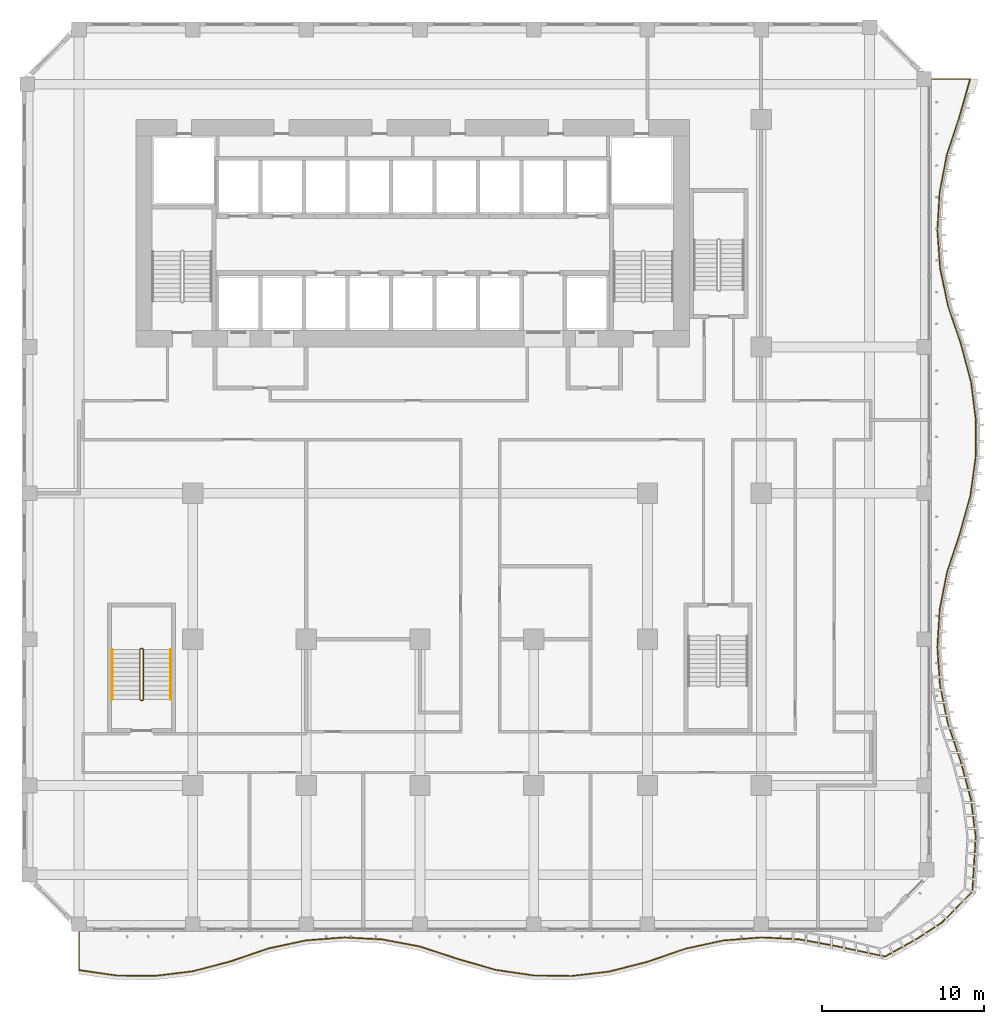
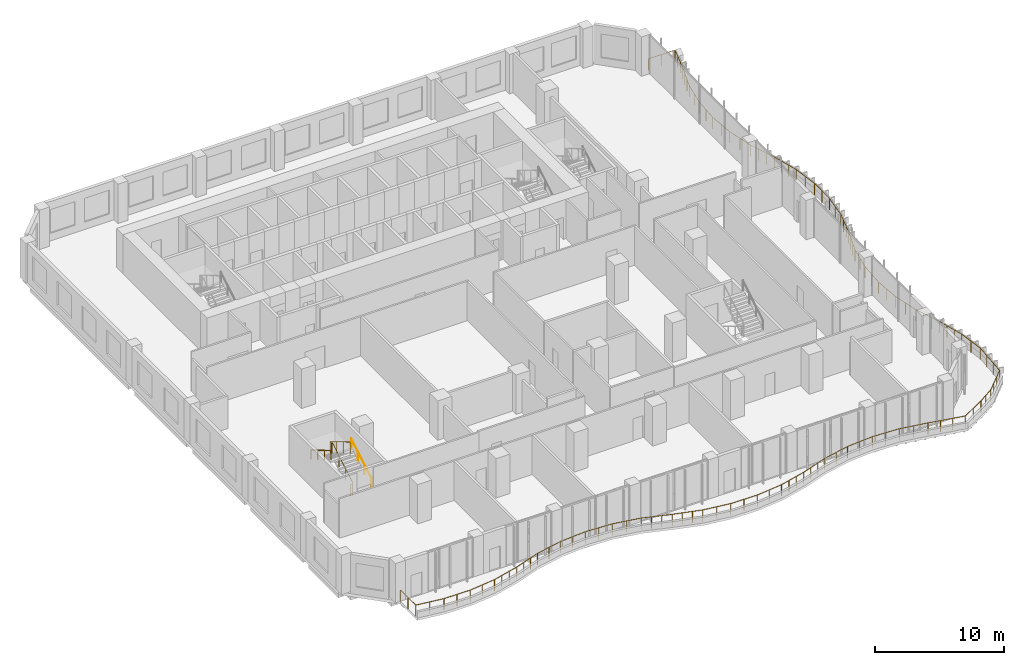
# One storey, part 22 of 29: 4 railings.
"""IFC4 building model written with IfcOpenShell, lengths in metres."""

from ifc_helpers import new_model, si_unit, direction, frame, origin, origin_2d, place, context, subcontext, project, spatial, circle, extrude, material, type_object, element, save


model = new_model("IFC4")

# Units and contexts
model_context = context("Model", 3, precision=1e-05, world=origin(), true_north=direction((0.0, 1.0)))
body_context = subcontext(model_context, "Body", "Model", "MODEL_VIEW")
ifc_project = project(units=[si_unit("LENGTHUNIT", "METRE"), si_unit("AREAUNIT", "SQUARE_METRE"), si_unit("VOLUMEUNIT", "CUBIC_METRE"), si_unit("PLANEANGLEUNIT", "RADIAN"), si_unit("MASSUNIT", "GRAM", prefix="KILO")], contexts=[model_context])

# Site, building, storey
site_placement = place(None, origin())
site = spatial("IfcSite", under=ifc_project, at=site_placement, CompositionType="ELEMENT")
building_placement = place(site_placement, origin())
building = spatial("IfcBuilding", under=site, at=building_placement, Name="Kilnfold Tower and Market Hall", CompositionType="ELEMENT")
storey_placement = place(building_placement, frame((0.0, 0.0, 79.199951171875)))
storey = spatial("IfcBuildingStorey", under=building, at=storey_placement, Name="L18", CompositionType="ELEMENT", Elevation=79.199951171875)

# Railings
ifc_material_1 = material(Name="Stainless steel 316", Category="steel")
railing_type_1 = type_object("IfcRailingType", Name="CORE STAIR GUARD 1100", PredefinedType="GUARDRAIL", material=ifc_material_1)
railing_1_placement = place(storey_placement, frame((-15.699951171875, -13.75, 0.0)))
element("IfcRailing", 1, at=railing_1_placement, inside=storey, type_object=railing_type_1, Name="L18 ST3 stair guard 1", PredefinedType="GUARDRAIL", context=body_context, shape_type="SweptSolid", body=[
    extrude(circle(Radius=0.02392578125, at=origin_2d()), frame((0.0, 0.0, 1.076171875), z_axis=(1.0, 0.0, 0.0), x_axis=(0.0, 1.0, 0.0)), (0.0, 0.0, 1.0), 0.099853515625),
    extrude(circle(Radius=0.02392578125, at=origin_2d()), frame((0.099853515625, 0.0, 1.076171875), z_axis=(0.27628659633, 0.27628659633, 0.920506074601), x_axis=(-0.707106781187, 0.707106781187, 0.0)), (0.0, 0.0, 1.0), 0.18115234375),
    extrude(circle(Radius=0.02392578125, at=origin_2d()), frame((0.14990234375, 0.050048828125, 1.24267578125), z_axis=(0.0, 0.859290745958, 0.51148745235), x_axis=(-1.0, 0.0, 0.0)), (0.0, 0.0, 1.0), 3.584228515625),
    extrude(circle(Radius=0.02392578125, at=origin_2d()), frame((0.14990234375, 3.1298828125, 3.076171875), z_axis=(-0.707106781187, 0.707106781187, 0.0), x_axis=(-0.707106781187, -0.707106781187, 0.0)), (0.0, 0.0, 1.0), 0.07080078125),
    extrude(circle(Radius=0.02392578125, at=origin_2d()), frame((0.099853515625, 3.179931640625, 3.076171875), z_axis=(-1.0, 0.0, 0.0), x_axis=(0.0, -1.0, 0.0)), (0.0, 0.0, 1.0), 0.099853515625),
    extrude(circle(Radius=0.02392578125, at=origin_2d()), frame((0.0, 3.179931640625, 3.076171875), z_axis=(-0.27628659633, -0.27628659633, 0.920506074601), x_axis=(0.707106781187, -0.707106781187, 0.0)), (0.0, 0.0, 1.0), 0.18115234375),
    extrude(circle(Radius=0.02392578125, at=origin_2d()), frame((-0.050048828125, 3.1298828125, 3.24267578125), z_axis=(0.0, -0.859290745958, 0.51148745235), x_axis=(1.0, 0.0, 0.0)), (0.0, 0.0, 1.0), 3.584228515625),
    extrude(circle(Radius=0.02099609375, at=origin_2d()), origin(), (0.0, 0.0, 1.0), 1.052001953125),
    extrude(circle(Radius=0.02099609375, at=origin_2d()), frame((0.099853515625, 0.0, 0.0)), (0.0, 0.0, 1.0), 1.052001953125),
    extrude(circle(Radius=0.02099609375, at=origin_2d()), frame((0.14990234375, 0.050048828125, 0.166748046875)), (0.0, 0.0, 1.0), 1.052001953125),
    extrude(circle(Radius=0.02099609375, at=origin_2d()), frame((0.14990234375, 1.07666015625, 0.77783203125)), (0.0, 0.0, 1.0), 1.052001953125),
    extrude(circle(Radius=0.02099609375, at=origin_2d()), frame((0.14990234375, 2.103271484375, 1.388916015625)), (0.0, 0.0, 1.0), 1.052001953125),
    extrude(circle(Radius=0.02099609375, at=origin_2d()), frame((0.14990234375, 3.1298828125, 2.0)), (0.0, 0.0, 1.0), 1.052001953125),
    extrude(circle(Radius=0.02099609375, at=origin_2d()), frame((0.099853515625, 3.179931640625, 2.0)), (0.0, 0.0, 1.0), 1.052001953125),
    extrude(circle(Radius=0.02099609375, at=origin_2d()), frame((0.0, 3.179931640625, 2.0)), (0.0, 0.0, 1.0), 1.052001953125),
    extrude(circle(Radius=0.02099609375, at=origin_2d()), frame((-0.050048828125, 3.1298828125, 2.166748046875)), (0.0, 0.0, 1.0), 1.052001953125),
    extrude(circle(Radius=0.02099609375, at=origin_2d()), frame((-0.050048828125, 2.103271484375, 2.77783203125)), (0.0, 0.0, 1.0), 1.052001953125),
    extrude(circle(Radius=0.02099609375, at=origin_2d()), frame((-0.050048828125, 1.07666015625, 3.388916015625)), (0.0, 0.0, 1.0), 1.052001953125),
    extrude(circle(Radius=0.02099609375, at=origin_2d()), frame((-0.050048828125, 0.050048828125, 4.0)), (0.0, 0.0, 1.0), 1.052001953125),
])
ifc_material_2 = material(Name="Stainless steel 316", Category="steel")
railing_type_2 = type_object("IfcRailingType", Name="CORE STAIR HANDRAIL 900", PredefinedType="HANDRAIL", material=ifc_material_2)
railing_2_placement = place(storey_placement, frame((-13.85009765625, -13.699951171875, 0.166748046875)))
element("IfcRailing", 2, at=railing_2_placement, inside=storey, type_object=railing_type_2, Name="L18 ST3 stair handrail 1", PredefinedType="HANDRAIL", context=body_context, shape_type="SweptSolid", body=[
    extrude(circle(Radius=0.02392578125, at=origin_2d()), frame((0.0, 0.0, 0.8759765625), z_axis=(0.0, 0.859290745958, 0.51148745235), x_axis=(-1.0, 0.0, 0.0)), (0.0, 0.0, 1.0), 3.584228515625),
    extrude(circle(Radius=0.02099609375, at=origin_2d()), origin(), (0.0, 0.0, 1.0), 0.851806640625),
    extrude(circle(Radius=0.02099609375, at=origin_2d()), frame((0.0, 1.026611328125, 0.611083984375)), (0.0, 0.0, 1.0), 0.851806640625),
    extrude(circle(Radius=0.02099609375, at=origin_2d()), frame((0.0, 2.05322265625, 1.22216796875)), (0.0, 0.0, 1.0), 0.851806640625),
    extrude(circle(Radius=0.02099609375, at=origin_2d()), frame((0.0, 3.079833984375, 1.833251953125)), (0.0, 0.0, 1.0), 0.851806640625),
])
railing_3_placement = place(storey_placement, frame((-17.449951171875, -10.6201171875, 2.166748046875)))
element("IfcRailing", 3, at=railing_3_placement, inside=storey, type_object=railing_type_2, Name="L18 ST3 stair handrail 2", PredefinedType="HANDRAIL", context=body_context, shape_type="SweptSolid", body=[
    extrude(circle(Radius=0.02392578125, at=origin_2d()), frame((0.0, 0.0, 0.8759765625), z_axis=(0.0, -0.859290745958, 0.51148745235), x_axis=(1.0, 0.0, 0.0)), (0.0, 0.0, 1.0), 3.584228515625),
    extrude(circle(Radius=0.02099609375, at=origin_2d()), origin(), (0.0, 0.0, 1.0), 0.851806640625),
    extrude(circle(Radius=0.02099609375, at=origin_2d()), frame((0.0, -1.026611328125, 0.611083984375)), (0.0, 0.0, 1.0), 0.851806640625),
    extrude(circle(Radius=0.02099609375, at=origin_2d()), frame((0.0, -2.05322265625, 1.22216796875)), (0.0, 0.0, 1.0), 0.851806640625),
    extrude(circle(Radius=0.02099609375, at=origin_2d()), frame((0.0, -3.079833984375, 1.833251953125)), (0.0, 0.0, 1.0), 0.851806640625),
])
ifc_material_3 = material(Name="Stainless steel and laminated glass", Category="steel")
railing_type_3 = type_object("IfcRailingType", Name="GUARD 1100", PredefinedType="GUARDRAIL", material=ifc_material_3)
railing_4_placement = place(storey_placement, frame((-19.5, -28.0, 0.0)))
element("IfcRailing", 4, at=railing_4_placement, inside=storey, type_object=railing_type_3, Name="Guard balcony L18", PredefinedType="GUARDRAIL", context=body_context, shape_type="SweptSolid", body=[
    extrude(circle(Radius=0.02490234375, at=origin_2d()), frame((0.0, 0.0, 1.0751953125), z_axis=(0.0, -1.0, 0.0), x_axis=(1.0, 0.0, 0.0)), (0.0, 0.0, 1.0), 2.3671875),
    extrude(circle(Radius=0.02490234375, at=origin_2d()), frame((0.0, -2.3671875, 1.0751953125), z_axis=(0.990011552174, -0.140986263734, 0.0), x_axis=(0.140986263734, 0.990011552174, 0.0)), (0.0, 0.0, 1.0), 2.356689453125),
    extrude(circle(Radius=0.02490234375, at=origin_2d()), frame((2.333251953125, -2.699462890625, 1.0751953125), z_axis=(0.99995164291, -0.009834217873, 0.0), x_axis=(0.009834217873, 0.99995164291, 0.0)), (0.0, 0.0, 1.0), 2.33349609375),
    extrude(circle(Radius=0.02490234375, at=origin_2d()), frame((4.666748046875, -2.722412109375, 1.0751953125), z_axis=(0.9926519646, 0.121004451058, 0.0), x_axis=(-0.121004451058, 0.9926519646, 0.0)), (0.0, 0.0, 1.0), 2.3505859375),
    extrude(circle(Radius=0.02490234375, at=origin_2d()), frame((7.0, -2.43798828125, 1.0751953125), z_axis=(0.967694646686, 0.25212510937, 0.0), x_axis=(-0.25212510937, 0.967694646686, 0.0)), (0.0, 0.0, 1.0), 2.4111328125),
    extrude(circle(Radius=0.02490234375, at=origin_2d()), frame((9.333251953125, -1.830078125, 1.0751953125), z_axis=(0.945916447437, 0.324410348891, 0.0), x_axis=(-0.324410348891, 0.945916447437, 0.0)), (0.0, 0.0, 1.0), 2.466796875),
    extrude(circle(Radius=0.02490234375, at=origin_2d()), frame((11.666748046875, -1.02978515625, 1.0751953125), z_axis=(0.978030963567, 0.20845967069, 0.0), x_axis=(-0.20845967069, 0.978030963567, 0.0)), (0.0, 0.0, 1.0), 2.3857421875),
    extrude(circle(Radius=0.02490234375, at=origin_2d()), frame((14.0, -0.532470703125, 1.0751953125), z_axis=(0.996999617386, 0.077406478613, 0.0), x_axis=(-0.077406478613, 0.996999617386, 0.0)), (0.0, 0.0, 1.0), 2.34033203125),
    extrude(circle(Radius=0.02490234375, at=origin_2d()), frame((16.333251953125, -0.351318359375, 1.0751953125), z_axis=(0.998562745725, -0.053595175618, 0.0), x_axis=(0.053595175618, 0.998562745725, 0.0)), (0.0, 0.0, 1.0), 2.3369140625),
    extrude(circle(Radius=0.02490234375, at=origin_2d()), frame((18.666748046875, -0.4765625, 1.0751953125), z_axis=(0.982815094306, -0.184592769099, 0.0), x_axis=(0.184592769099, 0.982815094306, 0.0)), (0.0, 0.0, 1.0), 2.3740234375),
    extrude(circle(Radius=0.02490234375, at=origin_2d()), frame((21.0, -0.914794921875, 1.0751953125), z_axis=(0.949918413858, -0.312498011214, 0.0), x_axis=(0.312498011214, 0.949918413858, 0.0)), (0.0, 0.0, 1.0), 2.456298828125),
    extrude(circle(Radius=0.02490234375, at=origin_2d()), frame((23.333251953125, -1.682373046875, 1.0751953125), z_axis=(0.961174049418, -0.27594283235, 0.0), x_axis=(0.27594283235, 0.961174049418, 0.0)), (0.0, 0.0, 1.0), 2.427734375),
    extrude(circle(Radius=0.02490234375, at=origin_2d()), frame((25.666748046875, -2.352294921875, 1.0751953125), z_axis=(0.989454912828, -0.144841207811, 0.0), x_axis=(0.144841207811, 0.989454912828, 0.0)), (0.0, 0.0, 1.0), 2.358154296875),
    extrude(circle(Radius=0.02490234375, at=origin_2d()), frame((28.0, -2.69384765625, 1.0751953125), z_axis=(0.999903179563, -0.013915153592, 0.0), x_axis=(0.013915153592, 0.999903179563, 0.0)), (0.0, 0.0, 1.0), 2.33349609375),
    extrude(circle(Radius=0.02490234375, at=origin_2d()), frame((30.333251953125, -2.726318359375, 1.0751953125), z_axis=(0.993120072898, 0.117100473128, 0.0), x_axis=(-0.117100473128, 0.993120072898, 0.0)), (0.0, 0.0, 1.0), 2.349609375),
    extrude(circle(Radius=0.02490234375, at=origin_2d()), frame((32.666748046875, -2.451171875, 1.0751953125), z_axis=(0.968725117024, 0.248136348904, 0.0), x_axis=(-0.248136348904, 0.968725117024, 0.0)), (0.0, 0.0, 1.0), 2.40869140625),
    extrude(circle(Radius=0.02490234375, at=origin_2d()), frame((35.0, -1.853515625, 1.0751953125), z_axis=(0.945480166669, 0.325679680723, 0.0), x_axis=(-0.325679680723, 0.945480166669, 0.0)), (0.0, 0.0, 1.0), 2.4677734375),
    extrude(circle(Radius=0.02490234375, at=origin_2d()), frame((37.333251953125, -1.0498046875, 1.0751953125), z_axis=(0.977193892437, 0.212348997132, 0.0), x_axis=(-0.212348997132, 0.977193892437, 0.0)), (0.0, 0.0, 1.0), 2.387939453125),
    extrude(circle(Radius=0.02490234375, at=origin_2d()), frame((39.666748046875, -0.542724609375, 1.0751953125), z_axis=(0.996685996413, 0.081345095449, 0.0), x_axis=(-0.081345095449, 0.996685996413, 0.0)), (0.0, 0.0, 1.0), 2.341064453125),
    extrude(circle(Radius=0.02490234375, at=origin_2d()), frame((42.0, -0.352294921875, 1.0751953125), z_axis=(0.998767149705, -0.049640514399, 0.0), x_axis=(0.049640514399, 0.998767149705, 0.0)), (0.0, 0.0, 1.0), 2.336181640625),
    extrude(circle(Radius=0.02490234375, at=origin_2d()), frame((44.333251953125, -0.46826171875, 1.0751953125), z_axis=(0.983557239518, -0.180596668273, 0.0), x_axis=(0.180596668273, 0.983557239518, 0.0)), (0.0, 0.0, 1.0), 2.37255859375),
    extrude(circle(Radius=0.02490234375, at=origin_2d()), frame((46.666748046875, -0.896728515625, 1.0751953125), z_axis=(0.977937632993, -0.208897070291, 0.0), x_axis=(0.208897070291, 0.977937632993, 0.0)), (0.0, 0.0, 1.0), 3.033935546875),
    extrude(circle(Radius=0.02490234375, at=origin_2d()), frame((49.6337890625, -1.530517578125, 1.0751953125), z_axis=(0.872179449428, 0.489186066845, 0.0), x_axis=(-0.489186066845, 0.872179449428, 0.0)), (0.0, 0.0, 1.0), 2.37255859375),
    extrude(circle(Radius=0.02490234375, at=origin_2d()), frame((51.703125, -0.369873046875, 1.0751953125), z_axis=(0.837774747833, 0.546015999668, 0.0), x_axis=(-0.546015999668, 0.837774747833, 0.0)), (0.0, 0.0, 1.0), 1.68603515625),
    extrude(circle(Radius=0.02490234375, at=origin_2d()), frame((53.11572265625, 0.55078125, 1.0751953125), z_axis=(0.702457611721, 0.711725581763, 0.0), x_axis=(-0.711725581763, 0.702457611721, 0.0)), (0.0, 0.0, 1.0), 2.68701171875),
    extrude(circle(Radius=0.02490234375, at=origin_2d()), frame((55.003173828125, 2.463134765625, 1.0751953125), z_axis=(0.062468310849, 0.998046947864, 0.0), x_axis=(-0.998046947864, 0.062468310849, 0.0)), (0.0, 0.0, 1.0), 3.376708984375),
    extrude(circle(Radius=0.02490234375, at=origin_2d()), frame((55.214111328125, 5.833251953125, 1.0751953125), z_axis=(-0.129064185476, 0.991636241788, 0.0), x_axis=(-0.991636241788, -0.129064185476, 0.0)), (0.0, 0.0, 1.0), 2.353271484375),
    extrude(circle(Radius=0.02490234375, at=origin_2d()), frame((54.910400390625, 8.166748046875, 1.0751953125), z_axis=(-0.260064055395, 0.965591366517, 0.0), x_axis=(-0.965591366517, -0.260064055395, 0.0)), (0.0, 0.0, 1.0), 2.41650390625),
    extrude(circle(Radius=0.02490234375, at=origin_2d()), frame((54.281982421875, 10.5, 1.0751953125), z_axis=(-0.321424863365, 0.94693508606, 0.0), x_axis=(-0.94693508606, -0.321424863365, 0.0)), (0.0, 0.0, 1.0), 2.464111328125),
    extrude(circle(Radius=0.02490234375, at=origin_2d()), frame((53.489990234375, 12.833251953125, 1.0751953125), z_axis=(-0.200391764063, 0.979715847017, 0.0), x_axis=(-0.979715847017, -0.200391764063, 0.0)), (0.0, 0.0, 1.0), 2.3818359375),
    extrude(circle(Radius=0.02490234375, at=origin_2d()), frame((53.0126953125, 15.166748046875, 1.0751953125), z_axis=(-0.069518543392, 0.997580659458, 0.0), x_axis=(-0.997580659458, -0.069518543392, 0.0)), (0.0, 0.0, 1.0), 2.3388671875),
    extrude(circle(Radius=0.02490234375, at=origin_2d()), frame((52.85009765625, 17.5, 1.0751953125), z_axis=(0.06151350653, 0.998106251115, 0.0), x_axis=(-0.998106251115, 0.06151350653, 0.0)), (0.0, 0.0, 1.0), 2.337646484375),
    extrude(circle(Radius=0.02490234375, at=origin_2d()), frame((52.993896484375, 19.833251953125, 1.0751953125), z_axis=(0.192600555184, 0.981277242242, 0.0), x_axis=(-0.981277242242, 0.192600555184, 0.0)), (0.0, 0.0, 1.0), 2.3779296875),
    extrude(circle(Radius=0.02490234375, at=origin_2d()), frame((53.451904296875, 22.166748046875, 1.0751953125), z_axis=(0.317418207313, 0.948285654044, 0.0), x_axis=(-0.948285654044, 0.317418207313, 0.0)), (0.0, 0.0, 1.0), 2.46044921875),
    extrude(circle(Radius=0.02490234375, at=origin_2d()), frame((54.23291015625, 24.5, 1.0751953125), z_axis=(0.268044177789, 0.963406621709, 0.0), x_axis=(-0.963406621709, 0.268044177789, 0.0)), (0.0, 0.0, 1.0), 2.421875),
    extrude(circle(Radius=0.02490234375, at=origin_2d()), frame((54.882080078125, 26.833251953125, 1.0751953125), z_axis=(0.136907434558, 0.990583845196, 0.0), x_axis=(-0.990583845196, 0.136907434558, 0.0)), (0.0, 0.0, 1.0), 2.355712890625),
    extrude(circle(Radius=0.02490234375, at=origin_2d()), frame((55.20458984375, 29.166748046875, 1.0751953125), z_axis=(0.005964108635, 0.999982214546, 0.0), x_axis=(-0.999982214546, 0.005964108635, 0.0)), (0.0, 0.0, 1.0), 2.333251953125),
    extrude(circle(Radius=0.02490234375, at=origin_2d()), frame((55.218505859375, 31.5, 1.0751953125), z_axis=(-0.125095157651, 0.992144748276, 0.0), x_axis=(-0.992144748276, -0.125095157651, 0.0)), (0.0, 0.0, 1.0), 2.351806640625),
    extrude(circle(Radius=0.02490234375, at=origin_2d()), frame((54.92431640625, 33.833251953125, 1.0751953125), z_axis=(-0.25607602288, 0.966656645612, 0.0), x_axis=(-0.966656645612, -0.25607602288, 0.0)), (0.0, 0.0, 1.0), 2.4140625),
    extrude(circle(Radius=0.02490234375, at=origin_2d()), frame((54.30615234375, 36.166748046875, 1.0751953125), z_axis=(-0.323022719248, 0.946391210256, 0.0), x_axis=(-0.946391210256, -0.323022719248, 0.0)), (0.0, 0.0, 1.0), 2.46533203125),
    extrude(circle(Radius=0.02490234375, at=origin_2d()), frame((53.509765625, 38.5, 1.0751953125), z_axis=(-0.204440962261, 0.978878895957, 0.0), x_axis=(-0.978878895957, -0.204440962261, 0.0)), (0.0, 0.0, 1.0), 2.383544921875),
    extrude(circle(Radius=0.02490234375, at=origin_2d()), frame((53.0224609375, 40.833251953125, 1.0751953125), z_axis=(-0.073456589712, 0.997298415434, 0.0), x_axis=(-0.997298415434, -0.073456589712, 0.0)), (0.0, 0.0, 1.0), 2.33984375),
    extrude(circle(Radius=0.02490234375, at=origin_2d()), frame((52.8505859375, 43.166748046875, 1.0751953125), z_axis=(0.057558492913, 0.99834213569, 0.0), x_axis=(-0.99834213569, 0.057558492913, 0.0)), (0.0, 0.0, 1.0), 2.337158203125),
    extrude(circle(Radius=0.02490234375, at=origin_2d()), frame((52.985107421875, 45.5, 1.0751953125), z_axis=(0.18856153865, 0.982061375955, 0.0), x_axis=(-0.982061375955, 0.18856153865, 0.0)), (0.0, 0.0, 1.0), 2.3759765625),
    extrude(circle(Radius=0.02490234375, at=origin_2d()), frame((53.43310546875, 47.833251953125, 1.0751953125), z_axis=(0.315065767325, 0.94906984056, 0.0), x_axis=(-0.94906984056, 0.315065767325, 0.0)), (0.0, 0.0, 1.0), 2.458740234375),
    extrude(circle(Radius=0.02490234375, at=origin_2d()), frame((54.207763671875, 50.166748046875, 1.0751953125), z_axis=(0.271967140438, 0.962306538751, 0.0), x_axis=(-0.962306538751, 0.271967140438, 0.0)), (0.0, 0.0, 1.0), 2.424560546875),
    extrude(circle(Radius=0.02490234375, at=origin_2d()), frame((54.8671875, 52.5, 1.0751953125), z_axis=(-1.0, 0.0, 0.0), x_axis=(0.0, -1.0, 0.0)), (0.0, 0.0, 1.0), 2.3671875),
    extrude(circle(Radius=0.02490234375, at=origin_2d()), origin(), (0.0, 0.0, 1.0), 1.050048828125),
    extrude(circle(Radius=0.02490234375, at=origin_2d()), frame((0.0, -1.18359375, 0.0)), (0.0, 0.0, 1.0), 1.050048828125),
    extrude(circle(Radius=0.02490234375, at=origin_2d()), frame((0.0, -2.3671875, 0.0)), (0.0, 0.0, 1.0), 1.050048828125),
    extrude(circle(Radius=0.02490234375, at=origin_2d()), frame((1.16650390625, -2.533203125, 0.0)), (0.0, 0.0, 1.0), 1.050048828125),
    extrude(circle(Radius=0.02490234375, at=origin_2d()), frame((2.333251953125, -2.699462890625, 0.0)), (0.0, 0.0, 1.0), 1.050048828125),
    extrude(circle(Radius=0.02490234375, at=origin_2d()), frame((3.5, -2.7109375, 0.0)), (0.0, 0.0, 1.0), 1.050048828125),
    extrude(circle(Radius=0.02490234375, at=origin_2d()), frame((4.666748046875, -2.722412109375, 0.0)), (0.0, 0.0, 1.0), 1.050048828125),
    extrude(circle(Radius=0.02490234375, at=origin_2d()), frame((5.83349609375, -2.580078125, 0.0)), (0.0, 0.0, 1.0), 1.050048828125),
    extrude(circle(Radius=0.02490234375, at=origin_2d()), frame((7.0, -2.43798828125, 0.0)), (0.0, 0.0, 1.0), 1.050048828125),
    extrude(circle(Radius=0.02490234375, at=origin_2d()), frame((7.77783203125, -2.2353515625, 0.0)), (0.0, 0.0, 1.0), 1.050048828125),
    extrude(circle(Radius=0.02490234375, at=origin_2d()), frame((8.555419921875, -2.03271484375, 0.0)), (0.0, 0.0, 1.0), 1.050048828125),
    extrude(circle(Radius=0.02490234375, at=origin_2d()), frame((9.333251953125, -1.830078125, 0.0)), (0.0, 0.0, 1.0), 1.050048828125),
    extrude(circle(Radius=0.02490234375, at=origin_2d()), frame((10.111083984375, -1.563232421875, 0.0)), (0.0, 0.0, 1.0), 1.050048828125),
    extrude(circle(Radius=0.02490234375, at=origin_2d()), frame((10.888916015625, -1.296630859375, 0.0)), (0.0, 0.0, 1.0), 1.050048828125),
    extrude(circle(Radius=0.02490234375, at=origin_2d()), frame((11.666748046875, -1.02978515625, 0.0)), (0.0, 0.0, 1.0), 1.050048828125),
    extrude(circle(Radius=0.02490234375, at=origin_2d()), frame((12.83349609375, -0.78125, 0.0)), (0.0, 0.0, 1.0), 1.050048828125),
    extrude(circle(Radius=0.02490234375, at=origin_2d()), frame((14.0, -0.532470703125, 0.0)), (0.0, 0.0, 1.0), 1.050048828125),
    extrude(circle(Radius=0.02490234375, at=origin_2d()), frame((15.16650390625, -0.44189453125, 0.0)), (0.0, 0.0, 1.0), 1.050048828125),
    extrude(circle(Radius=0.02490234375, at=origin_2d()), frame((16.333251953125, -0.351318359375, 0.0)), (0.0, 0.0, 1.0), 1.050048828125),
    extrude(circle(Radius=0.02490234375, at=origin_2d()), frame((17.5, -0.4140625, 0.0)), (0.0, 0.0, 1.0), 1.050048828125),
    extrude(circle(Radius=0.02490234375, at=origin_2d()), frame((18.666748046875, -0.4765625, 0.0)), (0.0, 0.0, 1.0), 1.050048828125),
    extrude(circle(Radius=0.02490234375, at=origin_2d()), frame((19.83349609375, -0.69580078125, 0.0)), (0.0, 0.0, 1.0), 1.050048828125),
    extrude(circle(Radius=0.02490234375, at=origin_2d()), frame((21.0, -0.914794921875, 0.0)), (0.0, 0.0, 1.0), 1.050048828125),
    extrude(circle(Radius=0.02490234375, at=origin_2d()), frame((21.77783203125, -1.170654296875, 0.0)), (0.0, 0.0, 1.0), 1.050048828125),
    extrude(circle(Radius=0.02490234375, at=origin_2d()), frame((22.555419921875, -1.426513671875, 0.0)), (0.0, 0.0, 1.0), 1.050048828125),
    extrude(circle(Radius=0.02490234375, at=origin_2d()), frame((23.333251953125, -1.682373046875, 0.0)), (0.0, 0.0, 1.0), 1.050048828125),
    extrude(circle(Radius=0.02490234375, at=origin_2d()), frame((24.111083984375, -1.90576171875, 0.0)), (0.0, 0.0, 1.0), 1.050048828125),
    extrude(circle(Radius=0.02490234375, at=origin_2d()), frame((24.888916015625, -2.12890625, 0.0)), (0.0, 0.0, 1.0), 1.050048828125),
    extrude(circle(Radius=0.02490234375, at=origin_2d()), frame((25.666748046875, -2.352294921875, 0.0)), (0.0, 0.0, 1.0), 1.050048828125),
    extrude(circle(Radius=0.02490234375, at=origin_2d()), frame((26.83349609375, -2.52294921875, 0.0)), (0.0, 0.0, 1.0), 1.050048828125),
    extrude(circle(Radius=0.02490234375, at=origin_2d()), frame((28.0, -2.69384765625, 0.0)), (0.0, 0.0, 1.0), 1.050048828125),
    extrude(circle(Radius=0.02490234375, at=origin_2d()), frame((29.16650390625, -2.7099609375, 0.0)), (0.0, 0.0, 1.0), 1.050048828125),
    extrude(circle(Radius=0.02490234375, at=origin_2d()), frame((30.333251953125, -2.726318359375, 0.0)), (0.0, 0.0, 1.0), 1.050048828125),
    extrude(circle(Radius=0.02490234375, at=origin_2d()), frame((31.5, -2.5888671875, 0.0)), (0.0, 0.0, 1.0), 1.050048828125),
    extrude(circle(Radius=0.02490234375, at=origin_2d()), frame((32.666748046875, -2.451171875, 0.0)), (0.0, 0.0, 1.0), 1.050048828125),
    extrude(circle(Radius=0.02490234375, at=origin_2d()), frame((33.444580078125, -2.251953125, 0.0)), (0.0, 0.0, 1.0), 1.050048828125),
    extrude(circle(Radius=0.02490234375, at=origin_2d()), frame((34.22216796875, -2.052734375, 0.0)), (0.0, 0.0, 1.0), 1.050048828125),
    extrude(circle(Radius=0.02490234375, at=origin_2d()), frame((35.0, -1.853515625, 0.0)), (0.0, 0.0, 1.0), 1.050048828125),
    extrude(circle(Radius=0.02490234375, at=origin_2d()), frame((35.77783203125, -1.585693359375, 0.0)), (0.0, 0.0, 1.0), 1.050048828125),
    extrude(circle(Radius=0.02490234375, at=origin_2d()), frame((36.555419921875, -1.317626953125, 0.0)), (0.0, 0.0, 1.0), 1.050048828125),
    extrude(circle(Radius=0.02490234375, at=origin_2d()), frame((37.333251953125, -1.0498046875, 0.0)), (0.0, 0.0, 1.0), 1.050048828125),
    extrude(circle(Radius=0.02490234375, at=origin_2d()), frame((38.5, -0.79638671875, 0.0)), (0.0, 0.0, 1.0), 1.050048828125),
    extrude(circle(Radius=0.02490234375, at=origin_2d()), frame((39.666748046875, -0.542724609375, 0.0)), (0.0, 0.0, 1.0), 1.050048828125),
    extrude(circle(Radius=0.02490234375, at=origin_2d()), frame((40.83349609375, -0.447509765625, 0.0)), (0.0, 0.0, 1.0), 1.050048828125),
    extrude(circle(Radius=0.02490234375, at=origin_2d()), frame((42.0, -0.352294921875, 0.0)), (0.0, 0.0, 1.0), 1.050048828125),
    extrude(circle(Radius=0.02490234375, at=origin_2d()), frame((43.16650390625, -0.41015625, 0.0)), (0.0, 0.0, 1.0), 1.050048828125),
    extrude(circle(Radius=0.02490234375, at=origin_2d()), frame((44.333251953125, -0.46826171875, 0.0)), (0.0, 0.0, 1.0), 1.050048828125),
    extrude(circle(Radius=0.02490234375, at=origin_2d()), frame((45.5, -0.6826171875, 0.0)), (0.0, 0.0, 1.0), 1.050048828125),
    extrude(circle(Radius=0.02490234375, at=origin_2d()), frame((46.666748046875, -0.896728515625, 0.0)), (0.0, 0.0, 1.0), 1.050048828125),
    extrude(circle(Radius=0.02490234375, at=origin_2d()), frame((47.65576171875, -1.10791015625, 0.0)), (0.0, 0.0, 1.0), 1.050048828125),
    extrude(circle(Radius=0.02490234375, at=origin_2d()), frame((48.644775390625, -1.3193359375, 0.0)), (0.0, 0.0, 1.0), 1.050048828125),
    extrude(circle(Radius=0.02490234375, at=origin_2d()), frame((49.6337890625, -1.530517578125, 0.0)), (0.0, 0.0, 1.0), 1.050048828125),
    extrude(circle(Radius=0.02490234375, at=origin_2d()), frame((50.66845703125, -0.9501953125, 0.0)), (0.0, 0.0, 1.0), 1.050048828125),
    extrude(circle(Radius=0.02490234375, at=origin_2d()), frame((51.703125, -0.369873046875, 0.0)), (0.0, 0.0, 1.0), 1.050048828125),
    extrude(circle(Radius=0.02490234375, at=origin_2d()), frame((52.409423828125, 0.09033203125, 0.0)), (0.0, 0.0, 1.0), 1.050048828125),
    extrude(circle(Radius=0.02490234375, at=origin_2d()), frame((53.11572265625, 0.55078125, 0.0)), (0.0, 0.0, 1.0), 1.050048828125),
    extrude(circle(Radius=0.02490234375, at=origin_2d()), frame((53.744873046875, 1.188232421875, 0.0)), (0.0, 0.0, 1.0), 1.050048828125),
    extrude(circle(Radius=0.02490234375, at=origin_2d()), frame((54.3740234375, 1.82568359375, 0.0)), (0.0, 0.0, 1.0), 1.050048828125),
    extrude(circle(Radius=0.02490234375, at=origin_2d()), frame((55.003173828125, 2.463134765625, 0.0)), (0.0, 0.0, 1.0), 1.050048828125),
    extrude(circle(Radius=0.02490234375, at=origin_2d()), frame((55.073486328125, 3.58642578125, 0.0)), (0.0, 0.0, 1.0), 1.050048828125),
    extrude(circle(Radius=0.02490234375, at=origin_2d()), frame((55.143798828125, 4.7099609375, 0.0)), (0.0, 0.0, 1.0), 1.050048828125),
    extrude(circle(Radius=0.02490234375, at=origin_2d()), frame((55.214111328125, 5.833251953125, 0.0)), (0.0, 0.0, 1.0), 1.050048828125),
    extrude(circle(Radius=0.02490234375, at=origin_2d()), frame((55.062255859375, 7.0, 0.0)), (0.0, 0.0, 1.0), 1.050048828125),
    extrude(circle(Radius=0.02490234375, at=origin_2d()), frame((54.910400390625, 8.166748046875, 0.0)), (0.0, 0.0, 1.0), 1.050048828125),
    extrude(circle(Radius=0.02490234375, at=origin_2d()), frame((54.700927734375, 8.944580078125, 0.0)), (0.0, 0.0, 1.0), 1.050048828125),
    extrude(circle(Radius=0.02490234375, at=origin_2d()), frame((54.491455078125, 9.72216796875, 0.0)), (0.0, 0.0, 1.0), 1.050048828125),
    extrude(circle(Radius=0.02490234375, at=origin_2d()), frame((54.281982421875, 10.5, 0.0)), (0.0, 0.0, 1.0), 1.050048828125),
    extrude(circle(Radius=0.02490234375, at=origin_2d()), frame((54.01806640625, 11.27783203125, 0.0)), (0.0, 0.0, 1.0), 1.050048828125),
    extrude(circle(Radius=0.02490234375, at=origin_2d()), frame((53.75390625, 12.055419921875, 0.0)), (0.0, 0.0, 1.0), 1.050048828125),
    extrude(circle(Radius=0.02490234375, at=origin_2d()), frame((53.489990234375, 12.833251953125, 0.0)), (0.0, 0.0, 1.0), 1.050048828125),
    extrude(circle(Radius=0.02490234375, at=origin_2d()), frame((53.25146484375, 14.0, 0.0)), (0.0, 0.0, 1.0), 1.050048828125),
    extrude(circle(Radius=0.02490234375, at=origin_2d()), frame((53.0126953125, 15.166748046875, 0.0)), (0.0, 0.0, 1.0), 1.050048828125),
    extrude(circle(Radius=0.02490234375, at=origin_2d()), frame((52.931396484375, 16.33349609375, 0.0)), (0.0, 0.0, 1.0), 1.050048828125),
    extrude(circle(Radius=0.02490234375, at=origin_2d()), frame((52.85009765625, 17.5, 0.0)), (0.0, 0.0, 1.0), 1.050048828125),
    extrude(circle(Radius=0.02490234375, at=origin_2d()), frame((52.921875, 18.66650390625, 0.0)), (0.0, 0.0, 1.0), 1.050048828125),
    extrude(circle(Radius=0.02490234375, at=origin_2d()), frame((52.993896484375, 19.833251953125, 0.0)), (0.0, 0.0, 1.0), 1.050048828125),
    extrude(circle(Radius=0.02490234375, at=origin_2d()), frame((53.222900390625, 21.0, 0.0)), (0.0, 0.0, 1.0), 1.050048828125),
    extrude(circle(Radius=0.02490234375, at=origin_2d()), frame((53.451904296875, 22.166748046875, 0.0)), (0.0, 0.0, 1.0), 1.050048828125),
    extrude(circle(Radius=0.02490234375, at=origin_2d()), frame((53.712158203125, 22.944580078125, 0.0)), (0.0, 0.0, 1.0), 1.050048828125),
    extrude(circle(Radius=0.02490234375, at=origin_2d()), frame((53.97265625, 23.72216796875, 0.0)), (0.0, 0.0, 1.0), 1.050048828125),
    extrude(circle(Radius=0.02490234375, at=origin_2d()), frame((54.23291015625, 24.5, 0.0)), (0.0, 0.0, 1.0), 1.050048828125),
    extrude(circle(Radius=0.02490234375, at=origin_2d()), frame((54.44921875, 25.27783203125, 0.0)), (0.0, 0.0, 1.0), 1.050048828125),
    extrude(circle(Radius=0.02490234375, at=origin_2d()), frame((54.665771484375, 26.055419921875, 0.0)), (0.0, 0.0, 1.0), 1.050048828125),
    extrude(circle(Radius=0.02490234375, at=origin_2d()), frame((54.882080078125, 26.833251953125, 0.0)), (0.0, 0.0, 1.0), 1.050048828125),
    extrude(circle(Radius=0.02490234375, at=origin_2d()), frame((55.04345703125, 28.0, 0.0)), (0.0, 0.0, 1.0), 1.050048828125),
    extrude(circle(Radius=0.02490234375, at=origin_2d()), frame((55.20458984375, 29.166748046875, 0.0)), (0.0, 0.0, 1.0), 1.050048828125),
    extrude(circle(Radius=0.02490234375, at=origin_2d()), frame((55.21142578125, 30.33349609375, 0.0)), (0.0, 0.0, 1.0), 1.050048828125),
    extrude(circle(Radius=0.02490234375, at=origin_2d()), frame((55.218505859375, 31.5, 0.0)), (0.0, 0.0, 1.0), 1.050048828125),
    extrude(circle(Radius=0.02490234375, at=origin_2d()), frame((55.0712890625, 32.66650390625, 0.0)), (0.0, 0.0, 1.0), 1.050048828125),
    extrude(circle(Radius=0.02490234375, at=origin_2d()), frame((54.92431640625, 33.833251953125, 0.0)), (0.0, 0.0, 1.0), 1.050048828125),
    extrude(circle(Radius=0.02490234375, at=origin_2d()), frame((54.71826171875, 34.611083984375, 0.0)), (0.0, 0.0, 1.0), 1.050048828125),
    extrude(circle(Radius=0.02490234375, at=origin_2d()), frame((54.51220703125, 35.388916015625, 0.0)), (0.0, 0.0, 1.0), 1.050048828125),
    extrude(circle(Radius=0.02490234375, at=origin_2d()), frame((54.30615234375, 36.166748046875, 0.0)), (0.0, 0.0, 1.0), 1.050048828125),
    extrude(circle(Radius=0.02490234375, at=origin_2d()), frame((54.040771484375, 36.944580078125, 0.0)), (0.0, 0.0, 1.0), 1.050048828125),
    extrude(circle(Radius=0.02490234375, at=origin_2d()), frame((53.775146484375, 37.72216796875, 0.0)), (0.0, 0.0, 1.0), 1.050048828125),
    extrude(circle(Radius=0.02490234375, at=origin_2d()), frame((53.509765625, 38.5, 0.0)), (0.0, 0.0, 1.0), 1.050048828125),
    extrude(circle(Radius=0.02490234375, at=origin_2d()), frame((53.26611328125, 39.66650390625, 0.0)), (0.0, 0.0, 1.0), 1.050048828125),
    extrude(circle(Radius=0.02490234375, at=origin_2d()), frame((53.0224609375, 40.833251953125, 0.0)), (0.0, 0.0, 1.0), 1.050048828125),
    extrude(circle(Radius=0.02490234375, at=origin_2d()), frame((52.9365234375, 42.0, 0.0)), (0.0, 0.0, 1.0), 1.050048828125),
    extrude(circle(Radius=0.02490234375, at=origin_2d()), frame((52.8505859375, 43.166748046875, 0.0)), (0.0, 0.0, 1.0), 1.050048828125),
    extrude(circle(Radius=0.02490234375, at=origin_2d()), frame((52.91796875, 44.33349609375, 0.0)), (0.0, 0.0, 1.0), 1.050048828125),
    extrude(circle(Radius=0.02490234375, at=origin_2d()), frame((52.985107421875, 45.5, 0.0)), (0.0, 0.0, 1.0), 1.050048828125),
    extrude(circle(Radius=0.02490234375, at=origin_2d()), frame((53.208984375, 46.66650390625, 0.0)), (0.0, 0.0, 1.0), 1.050048828125),
    extrude(circle(Radius=0.02490234375, at=origin_2d()), frame((53.43310546875, 47.833251953125, 0.0)), (0.0, 0.0, 1.0), 1.050048828125),
    extrude(circle(Radius=0.02490234375, at=origin_2d()), frame((53.69140625, 48.611083984375, 0.0)), (0.0, 0.0, 1.0), 1.050048828125),
    extrude(circle(Radius=0.02490234375, at=origin_2d()), frame((53.949462890625, 49.388916015625, 0.0)), (0.0, 0.0, 1.0), 1.050048828125),
    extrude(circle(Radius=0.02490234375, at=origin_2d()), frame((54.207763671875, 50.166748046875, 0.0)), (0.0, 0.0, 1.0), 1.050048828125),
    extrude(circle(Radius=0.02490234375, at=origin_2d()), frame((54.427490234375, 50.944580078125, 0.0)), (0.0, 0.0, 1.0), 1.050048828125),
    extrude(circle(Radius=0.02490234375, at=origin_2d()), frame((54.6474609375, 51.72216796875, 0.0)), (0.0, 0.0, 1.0), 1.050048828125),
    extrude(circle(Radius=0.02490234375, at=origin_2d()), frame((54.8671875, 52.5, 0.0)), (0.0, 0.0, 1.0), 1.050048828125),
    extrude(circle(Radius=0.02490234375, at=origin_2d()), frame((53.68359375, 52.5, 0.0)), (0.0, 0.0, 1.0), 1.050048828125),
    extrude(circle(Radius=0.02490234375, at=origin_2d()), frame((52.5, 52.5, 0.0)), (0.0, 0.0, 1.0), 1.050048828125),
])

save(model, "model.ifc")
